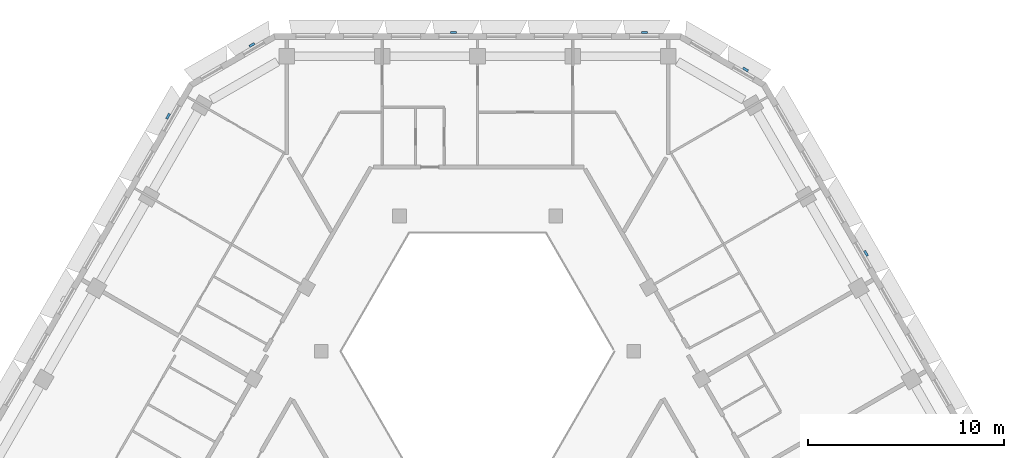
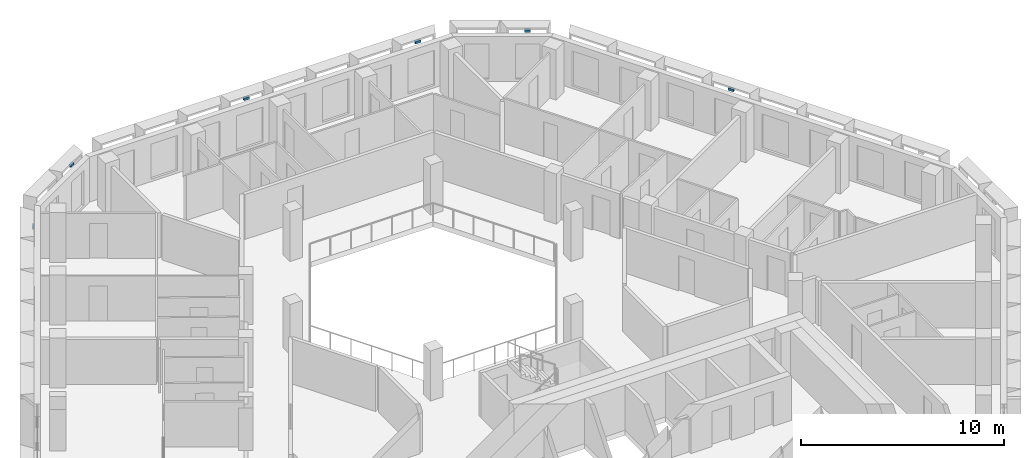
# One storey, part 11 of 18: 6 discrete accessories.
"""IFC4 building model written with IfcOpenShell, lengths in metres."""

from ifc_helpers import new_model, si_unit, direction, frame, origin, place, context, subcontext, project, spatial, polyline, outline, extrude, source, transform, mapped, material, type_object, type_shapes, element, save


model = new_model("IFC4")

# Units and contexts
model_context = context("Model", 3, precision=1e-05, world=origin(), true_north=direction((0.0, 1.0)))
body_context = subcontext(model_context, "Body", "Model", "MODEL_VIEW")
ifc_project = project(units=[si_unit("LENGTHUNIT", "METRE"), si_unit("AREAUNIT", "SQUARE_METRE"), si_unit("VOLUMEUNIT", "CUBIC_METRE"), si_unit("PLANEANGLEUNIT", "RADIAN"), si_unit("MASSUNIT", "GRAM", prefix="KILO")], contexts=[model_context])

# Site, building, storey
site_placement = place(None, origin())
site = spatial("IfcSite", under=ifc_project, at=site_placement, CompositionType="ELEMENT")
building_placement = place(site_placement, origin())
building = spatial("IfcBuilding", under=site, at=building_placement, Name="Beryl Residences", CompositionType="ELEMENT")
storey_placement = place(building_placement, frame((0.0, 0.0, 190.199951171875)))
storey = spatial("IfcBuildingStorey", under=building, at=storey_placement, Name="L58", CompositionType="ELEMENT", Elevation=190.199951171875)

# Discrete accessories
ifc_material = material(Name="Steel S355", Category="steel")
discrete_accessory_type = type_object("IfcDiscreteAccessoryType", Name="BR1 frame bracket 300 x 120 x 150 mm", PredefinedType="BRACKET", material=ifc_material)
shared_shape = source(origin(), body_context, "Body", "SweptSolid", [
    extrude(outline(polyline([(-0.14990234375, 0.0), (0.14990234375, 0.0), (0.14990234375, 0.1201171875), (-0.14990234375, 0.1201171875), (-0.14990234375, 0.0)])), origin(), (0.0, 0.0, 1.0), 0.14990234375),
])
type_shapes(discrete_accessory_type, [shared_shape])
for number, where, z_axis, x_axis, name in (
    (1, (8.511962890625, 24.199951171875, 2.75), (0.0, 0.0, 1.0), (1.0, 0.0, 0.0), "BR1 bracket L58 N 1"),
    (2, (-1.216064453125, 24.199951171875, 2.75), (0.0, 0.0, 1.0), (1.0, 0.0, 0.0), "BR1 bracket L58 N 5"),
    (3, (-11.47412109375, 23.574951171875, 2.75), (0.0, 0.0, 1.0), (0.866025403784, 0.5, 0.0), "BR1 bracket L58 N-NW 1"),
    (4, (-15.72705078125, 19.9599609375, 2.75), (0.0, 0.0, 1.0), (0.5, 0.866025403784, 0.0), "BR1 bracket L58 NW 1"),
    (5, (19.764892578125, 12.966064453125, 2.75), (0.0, 0.0, 1.0), (0.5, -0.866025403784, 0.0), "BR1 bracket L58 NE 5"),
    (6, (13.638916015625, 22.324951171875, 2.75), (0.0, 0.0, 1.0), (0.866025403784, -0.5, 0.0), "BR1 bracket L58 NE-N 1"),
):
    element("IfcDiscreteAccessory", number, at=place(storey_placement, frame(where, z_axis=z_axis, x_axis=x_axis)), inside=storey, type_object=discrete_accessory_type, Name=name, PredefinedType="BRACKET", context=body_context, shape_type="MappedRepresentation", body=[
        mapped(shared_shape, transform((0.0, 0.0, 0.0))),
    ])

save(model, "model.ifc")
